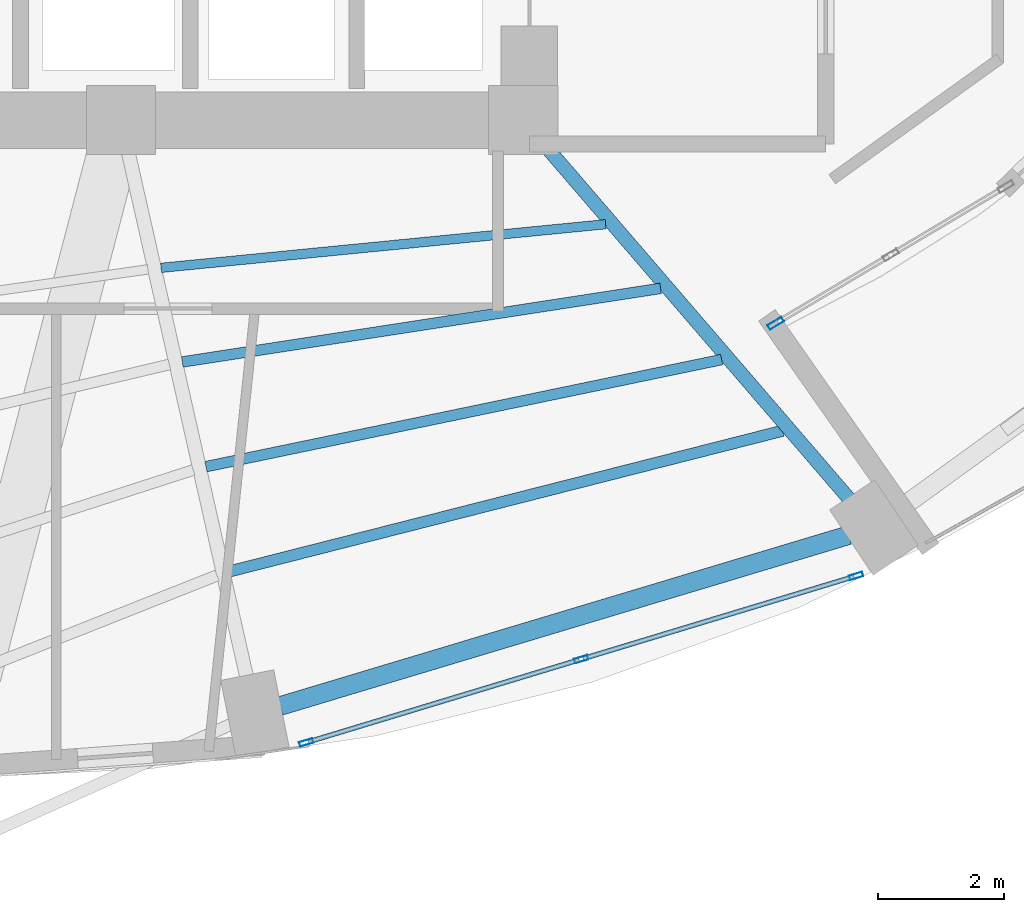
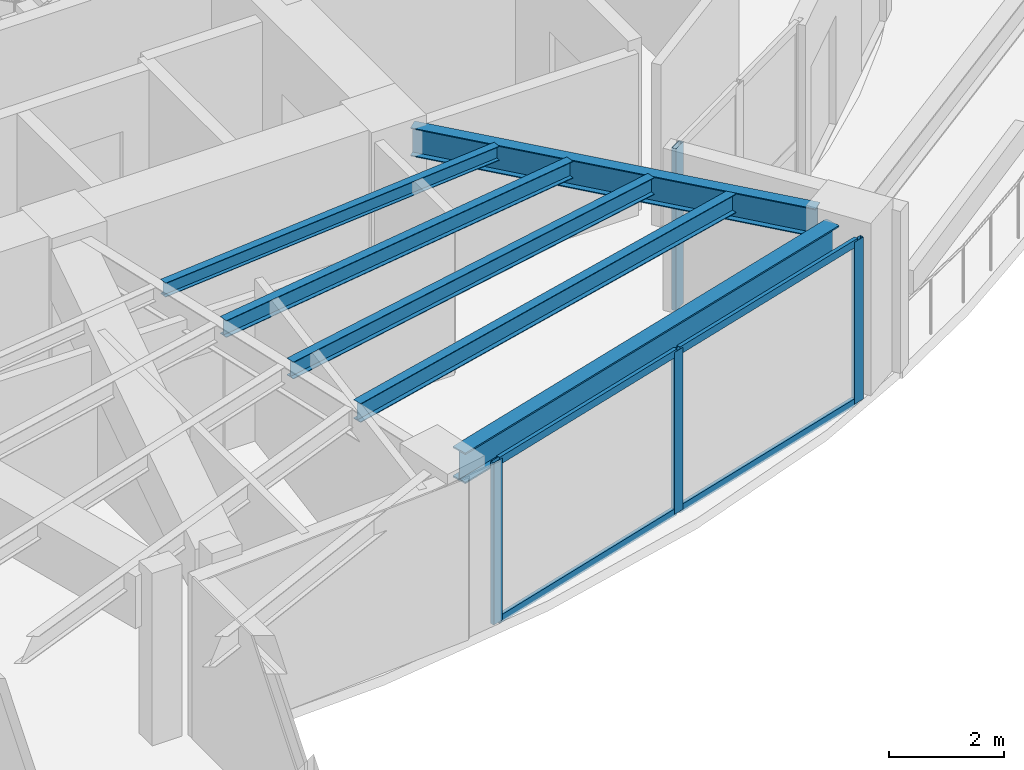
# One storey, part 9 of 24: 8 members, 6 beams, 2 elements without a shape of their own.
"""IFC4 building model written with IfcOpenShell, lengths in metres."""

from ifc_helpers import new_model, si_unit, direction, frame, origin, origin_2d, place, context, subcontext, project, spatial, hollow_rectangle, i_section, extrude, material, layer, layer_set, material_profile, profile_set, type_object, element, aggregate, save


model = new_model("IFC4")

# Units and contexts
model_context = context("Model", 3, precision=1e-05, world=origin(), true_north=direction((0.0, 1.0)))
body_context = subcontext(model_context, "Body", "Model", "MODEL_VIEW")
ifc_project = project(units=[si_unit("LENGTHUNIT", "METRE"), si_unit("AREAUNIT", "SQUARE_METRE"), si_unit("VOLUMEUNIT", "CUBIC_METRE"), si_unit("PLANEANGLEUNIT", "RADIAN"), si_unit("MASSUNIT", "GRAM", prefix="KILO")], contexts=[model_context])

# Site, building, storey
site_placement = place(None, origin())
site = spatial("IfcSite", under=ifc_project, at=site_placement, CompositionType="ELEMENT")
building_placement = place(site_placement, origin())
building = spatial("IfcBuilding", under=site, at=building_placement, Name="Lazwardi Medical Tower", CompositionType="ELEMENT")
storey_placement = place(building_placement, frame((0.0, 0.0, 58.031982421875)))
storey = spatial("IfcBuildingStorey", under=building, at=storey_placement, Name="L14", CompositionType="ELEMENT", Elevation=58.031982421875)

# Beams
ifc_material_1 = material(Name="Steel S355", Category="steel")
ifc_material_profile_1 = material_profile(ifc_material_1, i_section(OverallWidth=0.300048828125, OverallDepth=0.64990234375, WebThickness=0.01611328125, FlangeThickness=0.031005859375, at=origin_2d()), Name="HEB 650")
ifc_profile_set_1 = profile_set([ifc_material_profile_1], Name="Steel S355")
beam_type_1 = type_object("IfcBeamType", Name="BM-RB-Z1", PredefinedType="BEAM", material=ifc_profile_set_1)
beam_1_placement = place(storey_placement, frame((41.73291015625, 11.076904296875, 3.10302734375), z_axis=(0.957695289269, 0.287784177662, 0.0), x_axis=(-0.287784177662, 0.957695289269, 0.0)))
element("IfcBeam", 1, at=beam_1_placement, inside=storey, type_object=beam_type_1, Name="Ring beam RB-02 B01 L14", PredefinedType="BEAM", context=body_context, shape_type="SweptSolid", body=[
    extrude(i_section(OverallWidth=0.300048828125, OverallDepth=0.64990234375, WebThickness=0.01611328125, FlangeThickness=0.031005859375, at=origin_2d()), origin(), (0.0, 0.0, 1.0), 9.445556640625),
])
ifc_material_profile_2 = material_profile(ifc_material_1, i_section(OverallWidth=0.219970703125, OverallDepth=0.60009765625, WebThickness=0.011962890625, FlangeThickness=0.01904296875, at=origin_2d()), Name="IPE 600")
ifc_profile_set_2 = profile_set([ifc_material_profile_2], Name="Steel S355")
beam_type_2 = type_object("IfcBeamType", Name="BM-RG-W1", PredefinedType="BEAM", material=ifc_profile_set_2)
beam_2_placement = place(storey_placement, frame((50.802490234375, 14.355712890625, 3.1279296875), z_axis=(-0.652368190463, 0.757902199543, 0.0), x_axis=(-0.757902199543, -0.652368190463, 0.0)))
element("IfcBeam", 2, at=beam_2_placement, inside=storey, type_object=beam_type_2, Name="Radial girder RG-02 R02 L14", PredefinedType="BEAM", context=body_context, shape_type="SweptSolid", body=[
    extrude(i_section(OverallWidth=0.219970703125, OverallDepth=0.60009765625, WebThickness=0.011962890625, FlangeThickness=0.01904296875, at=origin_2d()), origin(), (0.0, 0.0, 1.0), 7.43994140625),
])
ifc_material_profile_3 = material_profile(ifc_material_1, i_section(OverallWidth=0.179931640625, OverallDepth=0.39990234375, WebThickness=0.008544921875, FlangeThickness=0.013427734375, at=origin_2d()), Name="IPE 400")
ifc_profile_set_3 = profile_set([ifc_material_profile_3], Name="Steel S355")
beam_type_3 = type_object("IfcBeamType", Name="BM-SJ-01", PredefinedType="JOIST", material=ifc_profile_set_3)
beam_3_placement = place(storey_placement, frame((40.927734375, 13.218994140625, 3.22802734375), z_axis=(0.969151012048, 0.246467677081, 0.0), x_axis=(-0.246467677081, 0.969151012048, 0.0)))
element("IfcBeam", 3, at=beam_3_placement, inside=storey, type_object=beam_type_3, Name="Secondary joist SJ-01 R1 B01 L14", PredefinedType="JOIST", context=body_context, shape_type="SweptSolid", body=[
    extrude(i_section(OverallWidth=0.179931640625, OverallDepth=0.39990234375, WebThickness=0.008544921875, FlangeThickness=0.013427734375, at=origin_2d()), origin(), (0.0, 0.0, 1.0), 9.08251953125),
])
ifc_material_profile_4 = material_profile(ifc_material_1, i_section(OverallWidth=0.169921875, OverallDepth=0.360107421875, WebThickness=0.008056640625, FlangeThickness=0.0126953125, at=origin_2d()), Name="IPE 360")
ifc_profile_set_4 = profile_set([ifc_material_profile_4], Name="Steel S355")
beam_type_4 = type_object("IfcBeamType", Name="BM-SJ-02", PredefinedType="JOIST", material=ifc_profile_set_4)
beam_4_placement = place(storey_placement, frame((40.5517578125, 14.885498046875, 3.248046875), z_axis=(0.979107693723, 0.203342381445, 0.0), x_axis=(-0.203342381445, 0.979107693723, 0.0)))
element("IfcBeam", 4, at=beam_4_placement, inside=storey, type_object=beam_type_4, Name="Secondary joist SJ-02 R2 B01 L14", PredefinedType="JOIST", context=body_context, shape_type="SweptSolid", body=[
    extrude(i_section(OverallWidth=0.169921875, OverallDepth=0.360107421875, WebThickness=0.008056640625, FlangeThickness=0.0126953125, at=origin_2d()), origin(), (0.0, 0.0, 1.0), 8.381591796875),
])
beam_5_placement = place(storey_placement, frame((40.175537109375, 16.551513671875, 3.248046875), z_axis=(0.988362899594, 0.152114360618, 0.0), x_axis=(-0.152114360618, 0.988362899594, 0.0)))
element("IfcBeam", 5, at=beam_5_placement, inside=storey, type_object=beam_type_4, Name="Secondary joist SJ-02 R3 B01 L14", PredefinedType="JOIST", context=body_context, shape_type="SweptSolid", body=[
    extrude(i_section(OverallWidth=0.169921875, OverallDepth=0.360107421875, WebThickness=0.008056640625, FlangeThickness=0.0126953125, at=origin_2d()), origin(), (0.0, 0.0, 1.0), 7.70068359375),
])
ifc_material_profile_5 = material_profile(ifc_material_1, i_section(OverallWidth=0.14990234375, OverallDepth=0.300048828125, WebThickness=0.007080078125, FlangeThickness=0.0107421875, at=origin_2d()), Name="IPE 300")
ifc_profile_set_5 = profile_set([ifc_material_profile_5], Name="Steel S355")
beam_type_5 = type_object("IfcBeamType", Name="BM-SJ-03", PredefinedType="JOIST", material=ifc_profile_set_5)
beam_6_placement = place(storey_placement, frame((39.8369140625, 18.0498046875, 3.278076171875), z_axis=(0.995226105538, 0.097596100616, 0.0), x_axis=(-0.097596100616, 0.995226105538, 0.0)))
element("IfcBeam", 6, at=beam_6_placement, inside=storey, type_object=beam_type_5, Name="Secondary joist SJ-03 R4 B01 L14", PredefinedType="JOIST", context=body_context, shape_type="SweptSolid", body=[
    extrude(i_section(OverallWidth=0.14990234375, OverallDepth=0.300048828125, WebThickness=0.007080078125, FlangeThickness=0.0107421875, at=origin_2d()), origin(), (0.0, 0.0, 1.0), 7.109375),
])

# Curtain wall, members
ifc_material_2 = material(Name="Anodised bronze aluminium and solar control glazing", Category="aluminium")
ifc_layer_1 = layer(ifc_material_2, 0.199951171875)
ifc_layer_set_1 = layer_set([ifc_layer_1], Name="Anodised bronze aluminium and solar control glazing")
curtain_wall_type_1 = type_object("IfcCurtainWallType", Name="CW-SYS-02", PredefinedType="NOTDEFINED", material=ifc_layer_set_1)
curtain_wall_1_placement = place(storey_placement, origin())
curtain_wall_1 = element("IfcCurtainWall", 7, at=curtain_wall_1_placement, inside=storey, type_object=curtain_wall_type_1, Name="L14 Unitised bronze curtain wall CW-02", PredefinedType="NOTDEFINED")
ifc_material_3 = material(Name="Anodised bronze aluminium", Category="aluminium")
ifc_material_profile_6 = material_profile(ifc_material_3, hollow_rectangle(XDim=0.074951171875, YDim=0.219970703125, WallThickness=0.00390625, at=origin_2d()), Name="ALU-MULLION 220x75x4")
ifc_profile_set_6 = profile_set([ifc_material_profile_6], Name="Anodised bronze aluminium")
member_type_1 = type_object("IfcMemberType", Name="CW-MUL-01", PredefinedType="MULLION", material=ifc_profile_set_6)
member_1_placement = place(storey_placement, frame((42.14794921875, 10.496337890625, 0.0), z_axis=(0.0, 0.0, 1.0), x_axis=(-0.2898956909, 0.957058247129, 0.0)))
member_1 = element("IfcMember", 8, at=member_1_placement, type_object=member_type_1, Name="CW-02 mullion 1", PredefinedType="MULLION", context=body_context, shape_type="SweptSolid", body=[
    extrude(hollow_rectangle(XDim=0.074951171875, YDim=0.219970703125, WallThickness=0.00390625, at=origin_2d()), origin(), (0.0, 0.0, 1.0), 3.427978515625),
])
member_2_placement = place(storey_placement, frame((46.523193359375, 11.821533203125, 0.0), z_axis=(0.0, 0.0, 1.0), x_axis=(-0.2898956909, 0.957058247129, 0.0)))
member_2 = element("IfcMember", 9, at=member_2_placement, type_object=member_type_1, Name="CW-02 mullion 2", PredefinedType="MULLION", context=body_context, shape_type="SweptSolid", body=[
    extrude(hollow_rectangle(XDim=0.074951171875, YDim=0.219970703125, WallThickness=0.00390625, at=origin_2d()), origin(), (0.0, 0.0, 1.0), 3.427978515625),
])
member_3_placement = place(storey_placement, frame((50.8984375, 13.146728515625, 0.0), z_axis=(0.0, 0.0, 1.0), x_axis=(-0.2898956909, 0.957058247129, 0.0)))
member_3 = element("IfcMember", 10, at=member_3_placement, type_object=member_type_1, Name="CW-02 mullion 3", PredefinedType="MULLION", context=body_context, shape_type="SweptSolid", body=[
    extrude(hollow_rectangle(XDim=0.074951171875, YDim=0.219970703125, WallThickness=0.00390625, at=origin_2d()), origin(), (0.0, 0.0, 1.0), 3.427978515625),
])

# Curtain wall, member
ifc_layer_2 = layer(ifc_material_2, 0.239990234375)
ifc_layer_set_2 = layer_set([ifc_layer_2], Name="Anodised bronze aluminium and solar control glazing")
curtain_wall_type_2 = type_object("IfcCurtainWallType", Name="CW-SYS-05", PredefinedType="NOTDEFINED", material=ifc_layer_set_2)
curtain_wall_2_placement = place(storey_placement, origin())
curtain_wall_2 = element("IfcCurtainWall", 11, at=curtain_wall_2_placement, inside=storey, type_object=curtain_wall_type_2, Name="L14 Unitised bronze curtain wall CW-05", PredefinedType="NOTDEFINED")
ifc_material_profile_7 = material_profile(ifc_material_3, hollow_rectangle(XDim=0.0849609375, YDim=0.260009765625, WallThickness=0.0048828125, at=origin_2d()), Name="ALU-MULLION 260x85x5")
ifc_profile_set_7 = profile_set([ifc_material_profile_7], Name="Anodised bronze aluminium")
member_type_2 = type_object("IfcMemberType", Name="CW-MUL-02", PredefinedType="MULLION", material=ifc_profile_set_7)
member_4_placement = place(storey_placement, frame((49.618896484375, 17.167724609375, 0.0), z_axis=(0.0, 0.0, 1.0), x_axis=(-0.510680174917, 0.859770759532, 0.0)))
member_4 = element("IfcMember", 12, at=member_4_placement, type_object=member_type_2, Name="CW-05 mullion 1", PredefinedType="MULLION", context=body_context, shape_type="SweptSolid", body=[
    extrude(hollow_rectangle(XDim=0.0849609375, YDim=0.260009765625, WallThickness=0.0048828125, at=origin_2d()), origin(), (0.0, 0.0, 1.0), 3.427978515625),
])
aggregate(curtain_wall_2, [member_4])

# Member
ifc_material_profile_8 = material_profile(ifc_material_3, hollow_rectangle(XDim=0.074951171875, YDim=0.159912109375, WallThickness=0.00390625, at=origin_2d()), Name="ALU-TRANSOM 160x75x4")
ifc_profile_set_8 = profile_set([ifc_material_profile_8], Name="Anodised bronze aluminium")
member_type_3 = type_object("IfcMemberType", Name="CW-TRN-01", PredefinedType="USERDEFINED", material=ifc_profile_set_8)
member_5_placement = place(storey_placement, frame((42.183837890625, 10.507080078125, 0.03759765625), z_axis=(0.957047233423, 0.28993204893, 0.0), x_axis=(-0.28993204893, 0.957047233423, 0.0)))
member_5 = element("IfcMember", 13, at=member_5_placement, type_object=member_type_3, Name="CW-02 transom 1.1", ObjectType="TRANSOM", PredefinedType="USERDEFINED", context=body_context, shape_type="SweptSolid", body=[
    extrude(hollow_rectangle(XDim=0.074951171875, YDim=0.159912109375, WallThickness=0.00390625, at=origin_2d()), origin(), (0.0, 0.0, 1.0), 4.49658203125),
])

member_6_placement = place(storey_placement, frame((42.183837890625, 10.507080078125, 3.390625), z_axis=(0.957047233423, 0.28993204893, 0.0), x_axis=(-0.28993204893, 0.957047233423, 0.0)))
member_6 = element("IfcMember", 14, at=member_6_placement, type_object=member_type_3, Name="CW-02 transom 1.2", ObjectType="TRANSOM", PredefinedType="USERDEFINED", context=body_context, shape_type="SweptSolid", body=[
    extrude(hollow_rectangle(XDim=0.074951171875, YDim=0.159912109375, WallThickness=0.00390625, at=origin_2d()), origin(), (0.0, 0.0, 1.0), 4.49658203125),
])

member_7_placement = place(storey_placement, frame((46.55908203125, 11.83251953125, 0.03759765625), z_axis=(0.957062297904, 0.289882317383, 0.0), x_axis=(-0.289882317383, 0.957062297904, 0.0)))
member_7 = element("IfcMember", 15, at=member_7_placement, type_object=member_type_3, Name="CW-02 transom 2.1", ObjectType="TRANSOM", PredefinedType="USERDEFINED", context=body_context, shape_type="SweptSolid", body=[
    extrude(hollow_rectangle(XDim=0.074951171875, YDim=0.159912109375, WallThickness=0.00390625, at=origin_2d()), origin(), (0.0, 0.0, 1.0), 4.49658203125),
])

member_8_placement = place(storey_placement, frame((46.55908203125, 11.83251953125, 3.390625), z_axis=(0.957062297904, 0.289882317383, 0.0), x_axis=(-0.289882317383, 0.957062297904, 0.0)))
member_8 = element("IfcMember", 16, at=member_8_placement, type_object=member_type_3, Name="CW-02 transom 2.2", ObjectType="TRANSOM", PredefinedType="USERDEFINED", context=body_context, shape_type="SweptSolid", body=[
    extrude(hollow_rectangle(XDim=0.074951171875, YDim=0.159912109375, WallThickness=0.00390625, at=origin_2d()), origin(), (0.0, 0.0, 1.0), 4.49658203125),
])

aggregate(curtain_wall_1, [member_1, member_2, member_3, member_5, member_6, member_7, member_8])

save(model, "model.ifc")
